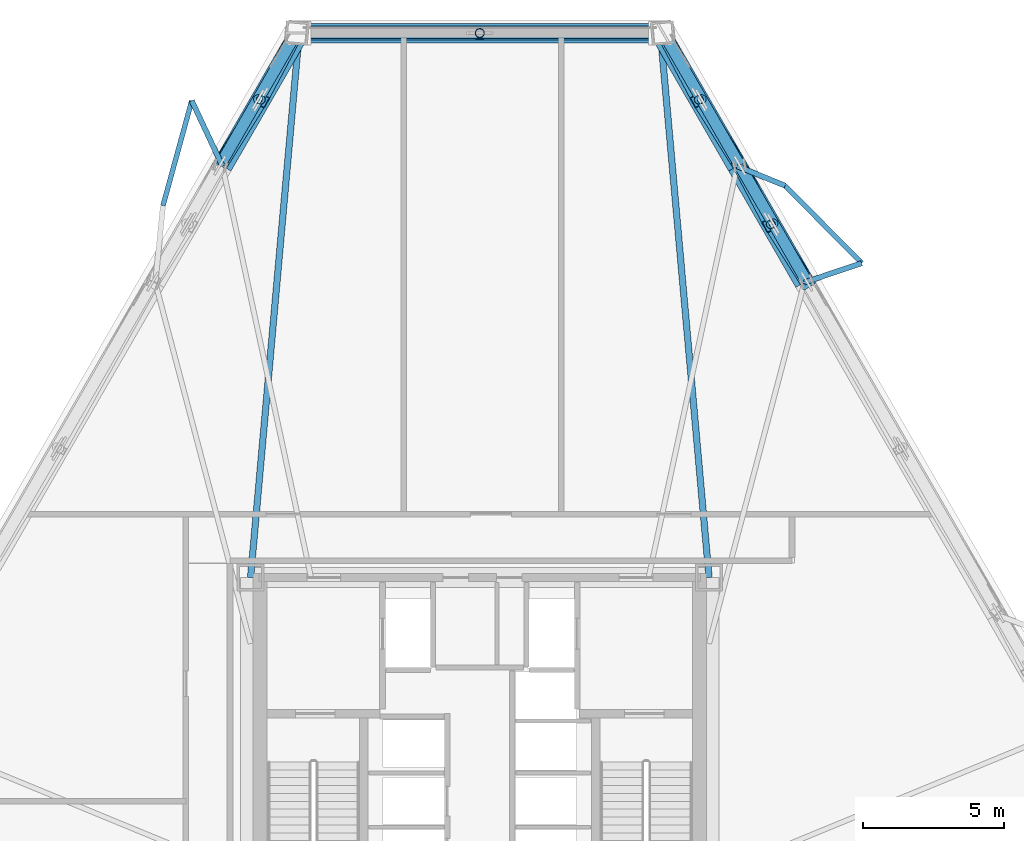
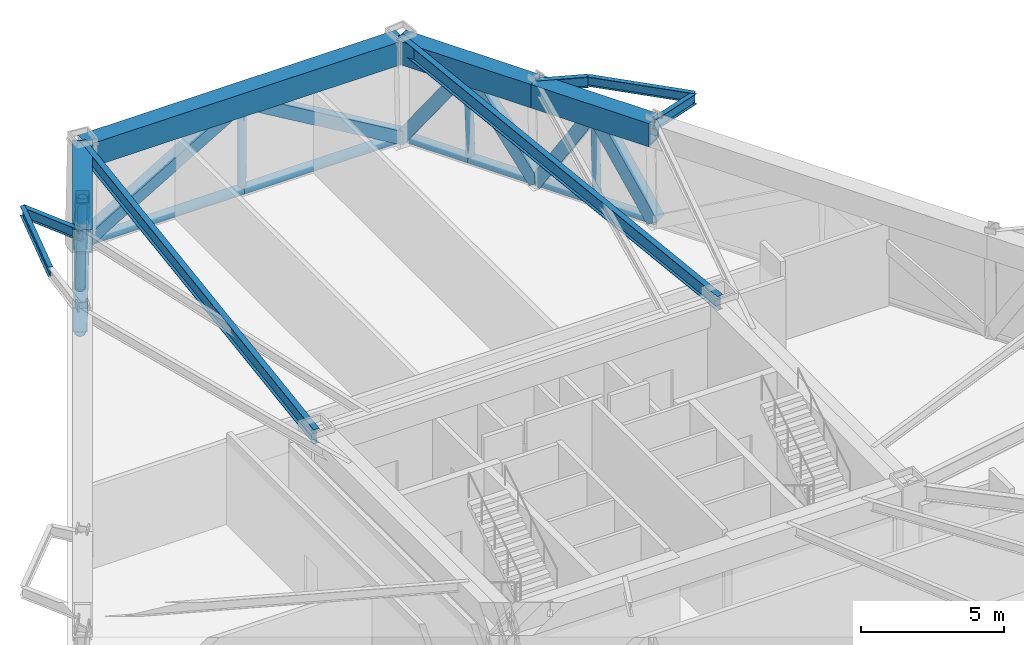
# One storey, part 5 of 11: 20 members, 11 beams.
"""IFC4 building model written with IfcOpenShell, lengths in metres."""

import ifcopenshell
import ifcopenshell.guid

model = None  # the IFC model being written
_history = None  # IfcOwnerHistory: only IFC2X3 demands one
_inside = {}  # id of a spatial element -> (the spatial element, [elements in it])
_under = {}  # id of a project, library or spatial element -> (it, [spatial elements below it])
_declared = {}  # id of a project -> (the project, [libraries it declares])
_typed = {}  # id of a type object -> (the type object, [elements of that type])
_made_of = {}  # id of a material, layer set ... -> (it, [elements and type objects made of it])


def new_model(schema):
    """Start an empty IFC model of exactly this schema.

    Asked for "IFC4X3", IfcOpenShell would pick the latest addendum, in which some entities
    have other attributes; the version numbers below select the first issue.
    IFC2X3 requires an IfcOwnerHistory on every rooted entity: one is made here for all.
    """
    global model, _history
    if schema == "IFC4X3":
        model = ifcopenshell.file(schema_version=(4, 3, 0, 0))
    else:
        model = ifcopenshell.file(schema=schema)
    _inside.clear()
    _under.clear()
    _declared.clear()
    _typed.clear()
    _made_of.clear()
    _history = None
    if model.schema == "IFC2X3":
        org = make("IfcOrganization", Name="unknown")
        user = make(
            "IfcPersonAndOrganization",
            ThePerson=make("IfcPerson", FamilyName="unknown"),
            TheOrganization=org,
        )
        app = make(
            "IfcApplication",
            ApplicationDeveloper=org,
            Version="unknown",
            ApplicationFullName="unknown",
            ApplicationIdentifier="unknown",
        )
        _history = make(
            "IfcOwnerHistory",
            OwningUser=user,
            OwningApplication=app,
            ChangeAction="ADDED",
            CreationDate=0,
        )
    return model


def make(cls, **values):
    """One entity of the class cls with the attributes given. An attribute that is None is left unset."""
    return model.create_entity(
        cls, **{name: value for name, value in values.items() if value is not None}
    )


def rooted(cls, **values):
    """An entity with a GlobalId (a new one), such as an element, a storey or a relation."""
    return make(cls, GlobalId=ifcopenshell.guid.new(), OwnerHistory=_history, **values)


def si_unit(unit_type, name, prefix=None):
    """IfcSIUnit, for example si_unit("LENGTHUNIT", "METRE", prefix="MILLI")."""
    return make("IfcSIUnit", UnitType=unit_type, Prefix=prefix, Name=name)


def assignment(units):
    """IfcUnitAssignment: the units of a project."""
    return None if units is None else make("IfcUnitAssignment", Units=units)


def point(xyz):
    """IfcCartesianPoint."""
    return None if xyz is None else make("IfcCartesianPoint", Coordinates=xyz)


def direction(xyz):
    """IfcDirection."""
    return None if xyz is None else make("IfcDirection", DirectionRatios=xyz)


def frame(location, z_axis=None, x_axis=None):
    """IfcAxis2Placement3D, a coordinate frame: its origin and axes. An axis left out is left unset."""
    return make(
        "IfcAxis2Placement3D",
        Location=point(location),
        Axis=direction(z_axis),
        RefDirection=direction(x_axis),
    )


def frame_2d(location, x_axis=None):
    """IfcAxis2Placement2D, a coordinate frame in the plane: its origin and x axis."""
    return make(
        "IfcAxis2Placement2D", Location=point(location), RefDirection=direction(x_axis)
    )


def origin():
    """The frame at (0, 0, 0) with its axes left unset."""
    return frame((0.0, 0.0, 0.0))


def origin_2d():
    """The frame at (0, 0) in the plane with its x axis left unset."""
    return frame_2d((0.0, 0.0))


def place(relative_to, where):
    """IfcLocalPlacement: puts the frame where relative to a parent placement (None: the world)."""
    return make(
        "IfcLocalPlacement", PlacementRelTo=relative_to, RelativePlacement=where
    )


def context(
    kind, dimensions, precision=None, world=None, true_north=None, identifier=None
):
    """IfcGeometricRepresentationContext, for example the 3D "Model" context."""
    return make(
        "IfcGeometricRepresentationContext",
        ContextIdentifier=identifier,
        ContextType=kind,
        CoordinateSpaceDimension=dimensions,
        Precision=precision,
        WorldCoordinateSystem=world,
        TrueNorth=true_north,
    )


def subcontext(parent, identifier, kind, view, scale=None):
    """IfcGeometricRepresentationSubContext, for example "Body" below "Model"."""
    return make(
        "IfcGeometricRepresentationSubContext",
        ContextIdentifier=identifier,
        ContextType=kind,
        ParentContext=parent,
        TargetScale=scale,
        TargetView=view,
    )


def project(units=None, contexts=None):
    """IfcProject with its units and contexts."""
    return rooted(
        "IfcProject",
        Name="project",
        RepresentationContexts=contexts,
        UnitsInContext=assignment(units),
    )


def spatial(cls, under=None, at=None, **own):
    """A site, building, storey or space (cls), placed at a placement, below another one or the project."""
    s = rooted(cls, ObjectPlacement=at, **own)
    if under is not None:
        _under.setdefault(under.id(), (under, []))[1].append(s)
    return s


def profile(cls, at=None, kind="AREA", **sizes):
    """A parametric profile (cls). Its sizes go by their IFC names, for example OverallWidth=200.0."""
    return make(cls, ProfileType=kind, Position=at, **sizes)


def hollow_rectangle(**sizes):
    """IfcRectangleHollowProfileDef."""
    return profile("IfcRectangleHollowProfileDef", **sizes)


def hollow_circle(**sizes):
    """IfcCircleHollowProfileDef."""
    return profile("IfcCircleHollowProfileDef", **sizes)


def i_section(**sizes):
    """IfcIShapeProfileDef."""
    return profile("IfcIShapeProfileDef", **sizes)


def extrude(swept, where, along, depth):
    """IfcExtrudedAreaSolid: the profile swept, set in the frame where, extruded along a direction by depth."""
    return make(
        "IfcExtrudedAreaSolid",
        SweptArea=swept,
        Position=where,
        ExtrudedDirection=direction(along),
        Depth=depth,
    )


def shape(context_of_items, identifier, shape_type, items):
    """IfcShapeRepresentation: the items that make up one representation, for example the "Body"."""
    return make(
        "IfcShapeRepresentation",
        ContextOfItems=context_of_items,
        RepresentationIdentifier=identifier,
        RepresentationType=shape_type,
        Items=items,
    )


def material(Name=None, Category=None):
    """IfcMaterial."""
    return make("IfcMaterial", Name=Name, Category=Category)


def material_profile(
    of_material, cross_section, Name=None, Category=None, Priority=None
):
    """IfcMaterialProfile: a cross section and its material."""
    return make(
        "IfcMaterialProfile",
        Name=Name,
        Material=of_material,
        Profile=cross_section,
        Priority=Priority,
        Category=Category,
    )


def profile_set(profiles, Name=None, composite=None):
    """IfcMaterialProfileSet."""
    return make(
        "IfcMaterialProfileSet",
        Name=Name,
        MaterialProfiles=profiles,
        CompositeProfile=composite,
    )


def made_of(thing, what):
    """Note that an element or type object is made of a material, layer set ...; save() writes the relation."""
    if what is not None:
        _made_of.setdefault(what.id(), (what, []))[1].append(thing)
    return thing


def type_object(cls, material=None, **own):
    """A type object (cls), such as IfcWallType, which elements share."""
    return made_of(rooted(cls, **own), material)


def element(
    cls,
    number,
    at=None,
    inside=None,
    cuts=None,
    type_object=None,
    material=None,
    context=None,
    identifier="Body",
    shape_type=None,
    held_by="IfcProductDefinitionShape",
    body=None,
    shapes=None,
    **own,
):
    """One element of the class cls, such as IfcWall. Its Tag is "e" and its number.

    at: its placement. inside: the storey or other place that contains it. cuts: it is an
    opening in that element (IfcRelVoidsElement). A single representation is given by context,
    identifier, shape_type and body (its items); several are given by shapes. held_by: the class
    of the entity that holds the representations. save() writes the other relations.
    """
    e = rooted(cls, Tag="e%d" % number, ObjectPlacement=at, **own)
    if body is not None:
        shapes = [shape(context, identifier, shape_type, body)]
    if shapes is not None:
        e.Representation = make(held_by, Representations=shapes)
    if inside is not None:
        _inside.setdefault(inside.id(), (inside, []))[1].append(e)
    if cuts is not None:
        rooted(
            "IfcRelVoidsElement", RelatingBuildingElement=cuts, RelatedOpeningElement=e
        )
    if type_object is not None:
        _typed.setdefault(type_object.id(), (type_object, []))[1].append(e)
    return made_of(e, material)


def aggregate(whole, parts):
    """IfcRelAggregates: a whole, such as a stair, and the parts it consists of."""
    return rooted("IfcRelAggregates", RelatingObject=whole, RelatedObjects=parts)


def save(model, path):
    """Write the relations noted so far, then the file.

    IfcRelAggregates (storeys below a building ...), IfcRelContainedInSpatialStructure (elements
    in a storey), IfcRelDefinesByType, IfcRelAssociatesMaterial and IfcRelDeclares: one each for
    every whole, place, type object, material and project.
    """
    for whole, parts in _under.values():
        aggregate(whole, parts)
    for where, things in _inside.values():
        rooted(
            "IfcRelContainedInSpatialStructure",
            RelatedElements=things,
            RelatingStructure=where,
        )
    for kind, things in _typed.values():
        rooted("IfcRelDefinesByType", RelatedObjects=things, RelatingType=kind)
    for what, things in _made_of.values():
        rooted("IfcRelAssociatesMaterial", RelatedObjects=things, RelatingMaterial=what)
    for by, libraries in _declared.values():
        rooted("IfcRelDeclares", RelatingContext=by, RelatedDefinitions=libraries)
    model.write(path)


model = new_model("IFC4")

# Units and contexts
model_context = context("Model", 3, precision=1e-05, world=origin(), true_north=direction((0.0, 1.0)))
body_context = subcontext(model_context, "Body", "Model", "MODEL_VIEW")
ifc_project = project(units=[si_unit("LENGTHUNIT", "METRE"), si_unit("AREAUNIT", "SQUARE_METRE"), si_unit("VOLUMEUNIT", "CUBIC_METRE"), si_unit("PLANEANGLEUNIT", "RADIAN"), si_unit("MASSUNIT", "GRAM", prefix="KILO")], contexts=[model_context])

# Site, building, storey
site_placement = place(None, origin())
site = spatial("IfcSite", under=ifc_project, at=site_placement, CompositionType="ELEMENT")
building_placement = place(site_placement, origin())
building = spatial("IfcBuilding", under=site, at=building_placement, Name="Oramaril Tower", CompositionType="ELEMENT")
storey_placement = place(building_placement, frame((0.0, 0.0, 77.699951171875)))
storey = spatial("IfcBuildingStorey", under=building, at=storey_placement, Name="L20", CompositionType="ELEMENT", Elevation=77.699951171875)

# Beams
ifc_material_1 = material(Name="Steel ASTM A572 Gr 50", Category="steel")
ifc_material_profile_1 = material_profile(ifc_material_1, i_section(OverallWidth=0.19091796875, OverallDepth=0.45703125, WebThickness=0.009033203125, FlangeThickness=0.014404296875, at=origin_2d()), Name="W18X50")
ifc_profile_set_1 = profile_set([ifc_material_profile_1], Name="Steel ASTM A572 Gr 50")
beam_type_1 = type_object("IfcBeamType", Name="BT-BB1", PredefinedType="BEAM", material=ifc_profile_set_1)
beam_1_placement = place(storey_placement, frame((49.037353515625, 34.63818359375, 4.33154296875), z_axis=(0.947622067873, 0.319393826615, 0.0), x_axis=(-0.319393826615, 0.947622067873, 0.0)))
element("IfcBeam", 1, at=beam_1_placement, inside=storey, type_object=beam_type_1, Name="L20 Balcony Column-Framed Cantilever 04.1", PredefinedType="BEAM", context=body_context, shape_type="SweptSolid", body=[
    extrude(i_section(OverallWidth=0.19091796875, OverallDepth=0.45703125, WebThickness=0.009033203125, FlangeThickness=0.014404296875, at=origin_2d()), origin(), (0.0, 0.0, 1.0), 2.150146484375),
])
beam_2_placement = place(storey_placement, frame((46.64990234375, 38.7734375, 4.33154296875), z_axis=(0.925772820532, -0.378080262331, 0.0), x_axis=(0.378080262331, 0.925772820532, 0.0)))
element("IfcBeam", 2, at=beam_2_placement, inside=storey, type_object=beam_type_1, Name="L20 Balcony Column-Framed Cantilever 04.2", PredefinedType="BEAM", context=body_context, shape_type="SweptSolid", body=[
    extrude(i_section(OverallWidth=0.19091796875, OverallDepth=0.45703125, WebThickness=0.009033203125, FlangeThickness=0.014404296875, at=origin_2d()), origin(), (0.0, 0.0, 1.0), 1.841064453125),
])
beam_3_placement = place(storey_placement, frame((28.35009765625, 38.7734375, 4.33154296875), z_axis=(-0.424346256016, 0.905500002764, 0.0), x_axis=(-0.905500002764, -0.424346256016, 0.0)))
element("IfcBeam", 3, at=beam_3_placement, inside=storey, type_object=beam_type_1, Name="L20 Balcony Column-Framed Cantilever 05.1", PredefinedType="BEAM", context=body_context, shape_type="SweptSolid", body=[
    extrude(i_section(OverallWidth=0.19091796875, OverallDepth=0.45703125, WebThickness=0.009033203125, FlangeThickness=0.014404296875, at=origin_2d()), origin(), (0.0, 0.0, 1.0), 2.570068359375),
])
ifc_material_2 = material(Name="Steel ASTM A572 Gr 50", Category="steel")
ifc_material_profile_2 = material_profile(ifc_material_2, hollow_rectangle(XDim=0.699951171875, YDim=1.0, WallThickness=0.06494140625, at=origin_2d()), Name="BOX1000X700X65")
ifc_profile_set_2 = profile_set([ifc_material_profile_2], Name="Steel ASTM A572 Gr 50")
beam_type_2 = type_object("IfcBeamType", Name="BT-BT1", PredefinedType="BEAM", material=ifc_profile_set_2)
beam_4_placement = place(storey_placement, frame((49.037353515625, 34.63818359375, 4.06005859375), z_axis=(-0.499993908199, 0.866028920859, 0.0), x_axis=(-0.866028920859, -0.499993908199, 0.0)))
element("IfcBeam", 4, at=beam_4_placement, inside=storey, type_object=beam_type_2, Name="L20 Perimeter Spandrel 11", PredefinedType="BEAM", context=body_context, shape_type="SweptSolid", body=[
    extrude(hollow_rectangle(XDim=0.699951171875, YDim=1.0, WallThickness=0.06494140625, at=origin_2d()), origin(), (0.0, 0.0, 1.0), 4.77490234375),
])
beam_5_placement = place(storey_placement, frame((46.64990234375, 38.7734375, 4.06005859375), z_axis=(-0.500002554546, 0.866023928912, 0.0), x_axis=(-0.866023928912, -0.500002554546, 0.0)))
element("IfcBeam", 5, at=beam_5_placement, inside=storey, type_object=beam_type_2, Name="L20 Perimeter Spandrel 12", PredefinedType="BEAM", context=body_context, shape_type="SweptSolid", body=[
    extrude(hollow_rectangle(XDim=0.699951171875, YDim=1.0, WallThickness=0.06494140625, at=origin_2d()), origin(), (0.0, 0.0, 1.0), 5.45751953125),
])
beam_6_placement = place(storey_placement, frame((43.921142578125, 43.499755859375, 4.06005859375), z_axis=(-1.0, 0.0, 0.0), x_axis=(0.0, -1.0, 0.0)))
element("IfcBeam", 6, at=beam_6_placement, inside=storey, type_object=beam_type_2, Name="L20 Perimeter Spandrel 13", PredefinedType="BEAM", context=body_context, shape_type="SweptSolid", body=[
    extrude(hollow_rectangle(XDim=0.699951171875, YDim=1.0, WallThickness=0.06494140625, at=origin_2d()), origin(), (0.0, 0.0, 1.0), 12.84228515625),
])
beam_7_placement = place(storey_placement, frame((31.078857421875, 43.499755859375, 4.06005859375), z_axis=(-0.500002554546, -0.866023928912, 0.0), x_axis=(0.866023928912, -0.500002554546, 0.0)))
element("IfcBeam", 7, at=beam_7_placement, inside=storey, type_object=beam_type_2, Name="L20 Perimeter Spandrel 14", PredefinedType="BEAM", context=body_context, shape_type="SweptSolid", body=[
    extrude(hollow_rectangle(XDim=0.699951171875, YDim=1.0, WallThickness=0.06494140625, at=origin_2d()), origin(), (0.0, 0.0, 1.0), 5.45751953125),
])
ifc_material_3 = material(Name="Steel ASTM A572 Gr 50", Category="steel")
ifc_material_profile_3 = material_profile(ifc_material_3, i_section(OverallWidth=0.22900390625, OverallDepth=0.612060546875, WebThickness=0.011962890625, FlangeThickness=0.01953125, at=origin_2d()), Name="W24X84")
ifc_profile_set_3 = profile_set([ifc_material_profile_3], Name="Steel ASTM A572 Gr 50")
beam_type_3 = type_object("IfcBeamType", Name="BT-FB1", PredefinedType="BEAM", material=ifc_profile_set_3)
for number, where, z_axis, x_axis, name in (
    (8, (45.64990234375, 24.14990234375, 4.254150390625), (-0.08898782, 0.996032714268, 0.0), (-0.996032714268, -0.08898782, 0.0), "L20 Radial Primary Beam RB-05"),
    (9, (29.35009765625, 24.14990234375, 4.254150390625), (0.08898782, 0.996032714268, 0.0), (-0.996032714268, 0.08898782, 0.0), "L20 Radial Primary Beam RB-06"),
):
    element("IfcBeam", number, at=place(storey_placement, frame(where, z_axis=z_axis, x_axis=x_axis)), inside=storey, type_object=beam_type_3, Name=name, PredefinedType="BEAM", context=body_context, shape_type="SweptSolid", body=[
        extrude(i_section(OverallWidth=0.22900390625, OverallDepth=0.612060546875, WebThickness=0.011962890625, FlangeThickness=0.01953125, at=origin_2d()), origin(), (0.0, 0.0, 1.0), 19.427001953125),
    ])
ifc_material_4 = material(Name="Steel ASTM A572 Gr 50", Category="steel")
ifc_material_profile_4 = material_profile(ifc_material_4, i_section(OverallWidth=0.177978515625, OverallDepth=0.404052734375, WebThickness=0.007568359375, FlangeThickness=0.010986328125, at=origin_2d()), Name="W16X36")
ifc_profile_set_4 = profile_set([ifc_material_profile_4], Name="Steel ASTM A572 Gr 50")
beam_type_4 = type_object("IfcBeamType", Name="BT-SB1", PredefinedType="BEAM", material=ifc_profile_set_4)
for number, where, z_axis, x_axis, name in (
    (10, (51.074951171875, 35.324951171875, 4.358154296875), (-0.702994511648, 0.71119527318, 0.0), (-0.71119527318, -0.702994511648, 0.0), "L20 Balcony Edge Tie Beam 04"),
    (11, (27.259521484375, 41.1005859375, 4.358154296875), (-0.264382243015, -0.964417974521, 0.0), (0.964417974521, -0.264382243015, 0.0), "L20 Balcony Edge Tie Beam 05"),
):
    element("IfcBeam", number, at=place(storey_placement, frame(where, z_axis=z_axis, x_axis=x_axis)), inside=storey, type_object=beam_type_4, Name=name, PredefinedType="BEAM", context=body_context, shape_type="SweptSolid", body=[
        extrude(i_section(OverallWidth=0.177978515625, OverallDepth=0.404052734375, WebThickness=0.007568359375, FlangeThickness=0.010986328125, at=origin_2d()), origin(), (0.0, 0.0, 1.0), 3.8701171875),
    ])

# Members
ifc_material_5 = material(Name="Steel ASTM A572 Gr 50", Category="steel")
ifc_material_profile_5 = material_profile(ifc_material_5, hollow_circle(Radius=0.202880859375, WallThickness=0.01611328125, at=origin_2d()), Name="CHS406X16")
ifc_profile_set_5 = profile_set([ifc_material_profile_5], Name="Steel ASTM A572 Gr 50")
member_type_1 = type_object("IfcMemberType", Name="MT-CH1", PredefinedType="CHORD", material=ifc_profile_set_5)
member_1_placement = place(storey_placement, frame((49.12548828125, 34.66943359375, 0.2099609375), z_axis=(-0.49992062581, 0.866071225645, 0.0), x_axis=(-0.866071225645, -0.49992062581, 0.0)))
element("IfcMember", 12, at=member_1_placement, inside=storey, type_object=member_type_1, Name="L20 Belt Truss Chord 11A", PredefinedType="CHORD", context=body_context, shape_type="SweptSolid", body=[
    extrude(hollow_circle(Radius=0.202880859375, WallThickness=0.01611328125, at=origin_2d()), origin(), (0.0, 0.0, 1.0), 2.3818359375),
])
member_2_placement = place(storey_placement, frame((47.934814453125, 36.732177734375, 0.2099609375), z_axis=(-0.500041894521, 0.86600121462, 0.0), x_axis=(-0.86600121462, -0.500041894521, 0.0)))
element("IfcMember", 13, at=member_2_placement, inside=storey, type_object=member_type_1, Name="L20 Belt Truss Chord 11B", PredefinedType="CHORD", context=body_context, shape_type="SweptSolid", body=[
    extrude(hollow_circle(Radius=0.202880859375, WallThickness=0.01611328125, at=origin_2d()), origin(), (0.0, 0.0, 1.0), 2.381591796875),
])
member_3_placement = place(storey_placement, frame((46.743896484375, 38.794677734375, 0.2099609375), z_axis=(-0.500045955379, 0.865998869808, 0.0), x_axis=(-0.865998869808, -0.500045955379, 0.0)))
element("IfcMember", 14, at=member_3_placement, inside=storey, type_object=member_type_1, Name="L20 Belt Truss Chord 12A", PredefinedType="CHORD", context=body_context, shape_type="SweptSolid", body=[
    extrude(hollow_circle(Radius=0.202880859375, WallThickness=0.01611328125, at=origin_2d()), origin(), (0.0, 0.0, 1.0), 2.721923828125),
])
member_4_placement = place(storey_placement, frame((45.3828125, 41.15185546875, 0.2099609375), z_axis=(-0.499978684219, 0.866037710107, 0.0), x_axis=(-0.866037710107, -0.499978684219, 0.0)))
element("IfcMember", 15, at=member_4_placement, inside=storey, type_object=member_type_1, Name="L20 Belt Truss Chord 12B", PredefinedType="CHORD", context=body_context, shape_type="SweptSolid", body=[
    extrude(hollow_circle(Radius=0.202880859375, WallThickness=0.01611328125, at=origin_2d()), origin(), (0.0, 0.0, 1.0), 2.7216796875),
])
for number, where, z_axis, x_axis, name in (
    (16, (44.02197265625, 43.509033203125, 0.2099609375), (-1.0, 0.0, 0.0), (0.0, -1.0, 0.0), "L20 Belt Truss Chord 13A"),
    (17, (37.5, 43.509033203125, 0.2099609375), (-1.0, 0.0, 0.0), (0.0, -1.0, 0.0), "L20 Belt Truss Chord 13B"),
):
    element("IfcMember", number, at=place(storey_placement, frame(where, z_axis=z_axis, x_axis=x_axis)), inside=storey, type_object=member_type_1, Name=name, PredefinedType="CHORD", context=body_context, shape_type="SweptSolid", body=[
        extrude(hollow_circle(Radius=0.202880859375, WallThickness=0.01611328125, at=origin_2d()), origin(), (0.0, 0.0, 1.0), 6.52197265625),
    ])
member_5_placement = place(storey_placement, frame((30.97802734375, 43.509033203125, 0.2099609375), z_axis=(-0.500045955379, -0.865998869808, 0.0), x_axis=(0.865998869808, -0.500045955379, 0.0)))
element("IfcMember", 18, at=member_5_placement, inside=storey, type_object=member_type_1, Name="L20 Belt Truss Chord 14A", PredefinedType="CHORD", context=body_context, shape_type="SweptSolid", body=[
    extrude(hollow_circle(Radius=0.202880859375, WallThickness=0.01611328125, at=origin_2d()), origin(), (0.0, 0.0, 1.0), 2.721923828125),
])
member_6_placement = place(storey_placement, frame((29.616943359375, 41.15185546875, 0.2099609375), z_axis=(-0.499978684219, -0.866037710107, 0.0), x_axis=(0.866037710107, -0.499978684219, 0.0)))
element("IfcMember", 19, at=member_6_placement, inside=storey, type_object=member_type_1, Name="L20 Belt Truss Chord 14B", PredefinedType="CHORD", context=body_context, shape_type="SweptSolid", body=[
    extrude(hollow_circle(Radius=0.202880859375, WallThickness=0.01611328125, at=origin_2d()), origin(), (0.0, 0.0, 1.0), 2.7216796875),
])
ifc_material_6 = material(Name="Steel ASTM A572 Gr 50", Category="steel")
ifc_material_profile_6 = material_profile(ifc_material_6, hollow_circle(Radius=0.162109375, WallThickness=0.011962890625, at=origin_2d()), Name="CHS324X12")
ifc_profile_set_6 = profile_set([ifc_material_profile_6], Name="Steel ASTM A572 Gr 50")
member_type_2 = type_object("IfcMemberType", Name="MT-ST1", PredefinedType="STRUT", material=ifc_profile_set_6)
for number, where, z_axis, x_axis, name in (
    (20, (47.934814453125, 36.732177734375, 0.2099609375), (-0.023708693999, -0.006846360834, 0.999695466216), (0.277434275021, -0.960744619055, 0.0), "L20 Belt Truss Strut 11"),
    (21, (45.3828125, 41.15185546875, 0.2099609375), (-0.025292915062, -0.003930227403, 0.999672357205), (0.153545801922, -0.988141531721, 0.0), "L20 Belt Truss Strut 12"),
):
    element("IfcMember", number, at=place(storey_placement, frame(where, z_axis=z_axis, x_axis=x_axis)), inside=storey, type_object=member_type_2, Name=name, PredefinedType="STRUT", context=body_context, shape_type="SweptSolid", body=[
        extrude(hollow_circle(Radius=0.162109375, WallThickness=0.011962890625, at=origin_2d()), origin(), (0.0, 0.0, 1.0), 3.851318359375),
    ])
member_7_placement = place(storey_placement, frame((37.5, 43.509033203125, 0.2099609375), z_axis=(0.0, -0.002409631559, 0.999997096834), x_axis=(1.0, 0.0, 0.0)))
element("IfcMember", 22, at=member_7_placement, inside=storey, type_object=member_type_2, Name="L20 Belt Truss Strut 13", PredefinedType="STRUT", context=body_context, shape_type="SweptSolid", body=[
    extrude(hollow_circle(Radius=0.162109375, WallThickness=0.011962890625, at=origin_2d()), origin(), (0.0, 0.0, 1.0), 3.85009765625),
])
member_8_placement = place(storey_placement, frame((29.616943359375, 41.15185546875, 0.2099609375), z_axis=(0.025356265121, -0.003930221094, 0.999670752389), x_axis=(0.153170954413, 0.988199705892, 0.0)))
element("IfcMember", 23, at=member_8_placement, inside=storey, type_object=member_type_2, Name="L20 Belt Truss Strut 14", PredefinedType="STRUT", context=body_context, shape_type="SweptSolid", body=[
    extrude(hollow_circle(Radius=0.162109375, WallThickness=0.011962890625, at=origin_2d()), origin(), (0.0, 0.0, 1.0), 3.851318359375),
])
ifc_material_7 = material(Name="Steel ASTM A572 Gr 50", Category="steel")
ifc_material_profile_7 = material_profile(ifc_material_7, hollow_rectangle(XDim=0.5, YDim=0.5, WallThickness=0.02490234375, at=origin_2d()), Name="HSS500X500X25")
ifc_profile_set_7 = profile_set([ifc_material_profile_7], Name="Steel ASTM A572 Gr 50")
member_type_3 = type_object("IfcMemberType", Name="MT-TD1", PredefinedType="BRACE", material=ifc_profile_set_7)
member_9_placement = place(storey_placement, frame((49.12548828125, 34.66943359375, 0.2099609375), z_axis=(-0.282361544322, 0.448519832639, 0.847998772415), x_axis=(-0.846266724376, -0.53275944967, 0.0)))
element("IfcMember", 24, at=member_9_placement, inside=storey, type_object=member_type_3, Name="L20 Truss Diagonal 11A", PredefinedType="BRACE", context=body_context, shape_type="SweptSolid", body=[
    extrude(hollow_rectangle(XDim=0.5, YDim=0.5, WallThickness=0.02490234375, at=origin_2d()), origin(), (0.0, 0.0, 1.0), 4.540283203125),
])
member_10_placement = place(storey_placement, frame((46.743896484375, 38.794677734375, 0.2099609375), z_axis=(0.243482918897, -0.462531051084, 0.852514571716), x_axis=(0.884882324767, 0.465814631925, 0.0)))
element("IfcMember", 25, at=member_10_placement, inside=storey, type_object=member_type_3, Name="L20 Truss Diagonal 11B", PredefinedType="BRACE", context=body_context, shape_type="SweptSolid", body=[
    extrude(hollow_rectangle(XDim=0.5, YDim=0.5, WallThickness=0.02490234375, at=origin_2d()), origin(), (0.0, 0.0, 1.0), 4.51611328125),
])
member_11_placement = place(storey_placement, frame((46.743896484375, 38.794677734375, 0.2099609375), z_axis=(-0.307918826376, 0.494453515471, 0.812835602937), x_axis=(-0.848857203116, -0.528622217389, 0.0)))
element("IfcMember", 26, at=member_11_placement, inside=storey, type_object=member_type_3, Name="L20 Truss Diagonal 12A", PredefinedType="BRACE", context=body_context, shape_type="SweptSolid", body=[
    extrude(hollow_rectangle(XDim=0.5, YDim=0.5, WallThickness=0.02490234375, at=origin_2d()), origin(), (0.0, 0.0, 1.0), 4.736572265625),
])
member_12_placement = place(storey_placement, frame((44.02197265625, 43.509033203125, 0.2099609375), z_axis=(0.269074125427, -0.505235415802, 0.819961151302), x_axis=(0.882631887723, 0.470064836777, 0.0)))
element("IfcMember", 27, at=member_12_placement, inside=storey, type_object=member_type_3, Name="L20 Truss Diagonal 12B", PredefinedType="BRACE", context=body_context, shape_type="SweptSolid", body=[
    extrude(hollow_rectangle(XDim=0.5, YDim=0.5, WallThickness=0.02490234375, at=origin_2d()), origin(), (0.0, 0.0, 1.0), 4.695556640625),
])
for number, where, z_axis, x_axis, name in (
    (28, (44.02197265625, 43.509033203125, 0.2099609375), (-0.861145281582, -0.001224957726, 0.50835745641), (0.001422473668, -0.999998988284, 0.0), "L20 Truss Diagonal 13A"),
    (29, (30.97802734375, 43.509033203125, 0.2099609375), (0.861145281582, -0.001224957726, 0.50835745641), (0.001422473668, 0.999998988284, 0.0), "L20 Truss Diagonal 13B"),
):
    element("IfcMember", number, at=place(storey_placement, frame(where, z_axis=z_axis, x_axis=x_axis)), inside=storey, type_object=member_type_3, Name=name, PredefinedType="BRACE", context=body_context, shape_type="SweptSolid", body=[
        extrude(hollow_rectangle(XDim=0.5, YDim=0.5, WallThickness=0.02490234375, at=origin_2d()), origin(), (0.0, 0.0, 1.0), 7.573486328125),
    ])
member_13_placement = place(storey_placement, frame((30.97802734375, 43.509033203125, 0.2099609375), z_axis=(-0.269074125427, -0.505235415802, 0.819961151302), x_axis=(0.882631887723, -0.470064836777, 0.0)))
element("IfcMember", 30, at=member_13_placement, inside=storey, type_object=member_type_3, Name="L20 Truss Diagonal 14A", PredefinedType="BRACE", context=body_context, shape_type="SweptSolid", body=[
    extrude(hollow_rectangle(XDim=0.5, YDim=0.5, WallThickness=0.02490234375, at=origin_2d()), origin(), (0.0, 0.0, 1.0), 4.695556640625),
])
member_14_placement = place(storey_placement, frame((28.256103515625, 38.794677734375, 0.2099609375), z_axis=(0.307918826376, 0.494453515471, 0.812835602937), x_axis=(-0.848857203116, 0.528622217389, 0.0)))
element("IfcMember", 31, at=member_14_placement, inside=storey, type_object=member_type_3, Name="L20 Truss Diagonal 14B", PredefinedType="BRACE", context=body_context, shape_type="SweptSolid", body=[
    extrude(hollow_rectangle(XDim=0.5, YDim=0.5, WallThickness=0.02490234375, at=origin_2d()), origin(), (0.0, 0.0, 1.0), 4.736572265625),
])

save(model, "model.ifc")
